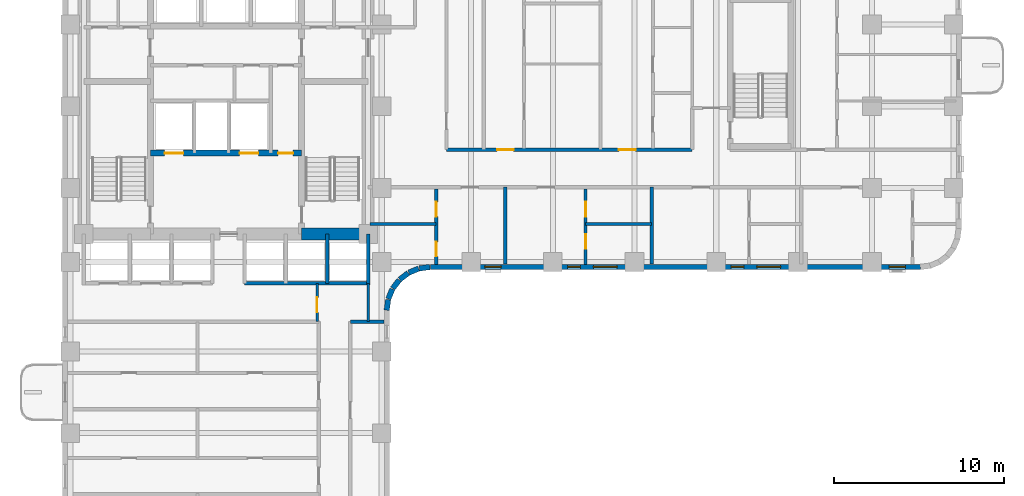
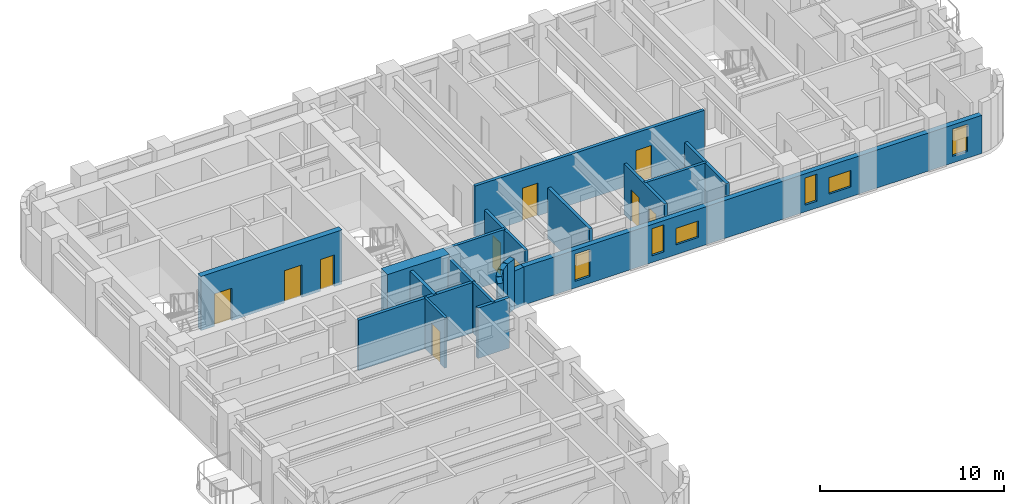
# One storey, part 4 of 11: 22 walls, 10 doors, 6 windows, 16 openings.
"""IFC4 building model written with IfcOpenShell, lengths in metres."""

import ifcopenshell
import ifcopenshell.guid

model = None  # the IFC model being written
_history = None  # IfcOwnerHistory: only IFC2X3 demands one
_inside = {}  # id of a spatial element -> (the spatial element, [elements in it])
_under = {}  # id of a project, library or spatial element -> (it, [spatial elements below it])
_declared = {}  # id of a project -> (the project, [libraries it declares])
_typed = {}  # id of a type object -> (the type object, [elements of that type])
_made_of = {}  # id of a material, layer set ... -> (it, [elements and type objects made of it])


def new_model(schema):
    """Start an empty IFC model of exactly this schema.

    Asked for "IFC4X3", IfcOpenShell would pick the latest addendum, in which some entities
    have other attributes; the version numbers below select the first issue.
    IFC2X3 requires an IfcOwnerHistory on every rooted entity: one is made here for all.
    """
    global model, _history
    if schema == "IFC4X3":
        model = ifcopenshell.file(schema_version=(4, 3, 0, 0))
    else:
        model = ifcopenshell.file(schema=schema)
    _inside.clear()
    _under.clear()
    _declared.clear()
    _typed.clear()
    _made_of.clear()
    _history = None
    if model.schema == "IFC2X3":
        org = make("IfcOrganization", Name="unknown")
        user = make(
            "IfcPersonAndOrganization",
            ThePerson=make("IfcPerson", FamilyName="unknown"),
            TheOrganization=org,
        )
        app = make(
            "IfcApplication",
            ApplicationDeveloper=org,
            Version="unknown",
            ApplicationFullName="unknown",
            ApplicationIdentifier="unknown",
        )
        _history = make(
            "IfcOwnerHistory",
            OwningUser=user,
            OwningApplication=app,
            ChangeAction="ADDED",
            CreationDate=0,
        )
    return model


def make(cls, **values):
    """One entity of the class cls with the attributes given. An attribute that is None is left unset."""
    return model.create_entity(
        cls, **{name: value for name, value in values.items() if value is not None}
    )


def rooted(cls, **values):
    """An entity with a GlobalId (a new one), such as an element, a storey or a relation."""
    return make(cls, GlobalId=ifcopenshell.guid.new(), OwnerHistory=_history, **values)


def si_unit(unit_type, name, prefix=None):
    """IfcSIUnit, for example si_unit("LENGTHUNIT", "METRE", prefix="MILLI")."""
    return make("IfcSIUnit", UnitType=unit_type, Prefix=prefix, Name=name)


def assignment(units):
    """IfcUnitAssignment: the units of a project."""
    return None if units is None else make("IfcUnitAssignment", Units=units)


def point(xyz):
    """IfcCartesianPoint."""
    return None if xyz is None else make("IfcCartesianPoint", Coordinates=xyz)


def direction(xyz):
    """IfcDirection."""
    return None if xyz is None else make("IfcDirection", DirectionRatios=xyz)


def frame(location, z_axis=None, x_axis=None):
    """IfcAxis2Placement3D, a coordinate frame: its origin and axes. An axis left out is left unset."""
    return make(
        "IfcAxis2Placement3D",
        Location=point(location),
        Axis=direction(z_axis),
        RefDirection=direction(x_axis),
    )


def frame_2d(location, x_axis=None):
    """IfcAxis2Placement2D, a coordinate frame in the plane: its origin and x axis."""
    return make(
        "IfcAxis2Placement2D", Location=point(location), RefDirection=direction(x_axis)
    )


def origin():
    """The frame at (0, 0, 0) with its axes left unset."""
    return frame((0.0, 0.0, 0.0))


def place(relative_to, where):
    """IfcLocalPlacement: puts the frame where relative to a parent placement (None: the world)."""
    return make(
        "IfcLocalPlacement", PlacementRelTo=relative_to, RelativePlacement=where
    )


def context(
    kind, dimensions, precision=None, world=None, true_north=None, identifier=None
):
    """IfcGeometricRepresentationContext, for example the 3D "Model" context."""
    return make(
        "IfcGeometricRepresentationContext",
        ContextIdentifier=identifier,
        ContextType=kind,
        CoordinateSpaceDimension=dimensions,
        Precision=precision,
        WorldCoordinateSystem=world,
        TrueNorth=true_north,
    )


def subcontext(parent, identifier, kind, view, scale=None):
    """IfcGeometricRepresentationSubContext, for example "Body" below "Model"."""
    return make(
        "IfcGeometricRepresentationSubContext",
        ContextIdentifier=identifier,
        ContextType=kind,
        ParentContext=parent,
        TargetScale=scale,
        TargetView=view,
    )


def project(units=None, contexts=None):
    """IfcProject with its units and contexts."""
    return rooted(
        "IfcProject",
        Name="project",
        RepresentationContexts=contexts,
        UnitsInContext=assignment(units),
    )


def spatial(cls, under=None, at=None, **own):
    """A site, building, storey or space (cls), placed at a placement, below another one or the project."""
    s = rooted(cls, ObjectPlacement=at, **own)
    if under is not None:
        _under.setdefault(under.id(), (under, []))[1].append(s)
    return s


def profile(cls, at=None, kind="AREA", **sizes):
    """A parametric profile (cls). Its sizes go by their IFC names, for example OverallWidth=200.0."""
    return make(cls, ProfileType=kind, Position=at, **sizes)


def rectangle(**sizes):
    """IfcRectangleProfileDef."""
    return profile("IfcRectangleProfileDef", **sizes)


def extrude(swept, where, along, depth):
    """IfcExtrudedAreaSolid: the profile swept, set in the frame where, extruded along a direction by depth."""
    return make(
        "IfcExtrudedAreaSolid",
        SweptArea=swept,
        Position=where,
        ExtrudedDirection=direction(along),
        Depth=depth,
    )


def shape(context_of_items, identifier, shape_type, items):
    """IfcShapeRepresentation: the items that make up one representation, for example the "Body"."""
    return make(
        "IfcShapeRepresentation",
        ContextOfItems=context_of_items,
        RepresentationIdentifier=identifier,
        RepresentationType=shape_type,
        Items=items,
    )


def material(Name=None, Category=None):
    """IfcMaterial."""
    return make("IfcMaterial", Name=Name, Category=Category)


def layer(
    of_material, thickness, ventilated=None, Name=None, Category=None, Priority=None
):
    """IfcMaterialLayer: one layer of a wall or slab, of a material (None: an air gap)."""
    return make(
        "IfcMaterialLayer",
        Material=of_material,
        LayerThickness=thickness,
        IsVentilated=ventilated,
        Name=Name,
        Category=Category,
        Priority=Priority,
    )


def layer_set(layers, Name=None):
    """IfcMaterialLayerSet."""
    return make("IfcMaterialLayerSet", MaterialLayers=layers, LayerSetName=Name)


def made_of(thing, what):
    """Note that an element or type object is made of a material, layer set ...; save() writes the relation."""
    if what is not None:
        _made_of.setdefault(what.id(), (what, []))[1].append(thing)
    return thing


def type_object(cls, material=None, **own):
    """A type object (cls), such as IfcWallType, which elements share."""
    return made_of(rooted(cls, **own), material)


def element(
    cls,
    number,
    at=None,
    inside=None,
    cuts=None,
    type_object=None,
    material=None,
    context=None,
    identifier="Body",
    shape_type=None,
    held_by="IfcProductDefinitionShape",
    body=None,
    shapes=None,
    **own,
):
    """One element of the class cls, such as IfcWall. Its Tag is "e" and its number.

    at: its placement. inside: the storey or other place that contains it. cuts: it is an
    opening in that element (IfcRelVoidsElement). A single representation is given by context,
    identifier, shape_type and body (its items); several are given by shapes. held_by: the class
    of the entity that holds the representations. save() writes the other relations.
    """
    e = rooted(cls, Tag="e%d" % number, ObjectPlacement=at, **own)
    if body is not None:
        shapes = [shape(context, identifier, shape_type, body)]
    if shapes is not None:
        e.Representation = make(held_by, Representations=shapes)
    if inside is not None:
        _inside.setdefault(inside.id(), (inside, []))[1].append(e)
    if cuts is not None:
        rooted(
            "IfcRelVoidsElement", RelatingBuildingElement=cuts, RelatedOpeningElement=e
        )
    if type_object is not None:
        _typed.setdefault(type_object.id(), (type_object, []))[1].append(e)
    return made_of(e, material)


def fill(opening, filler):
    """IfcRelFillsElement: the door or window that sits in an opening."""
    return rooted(
        "IfcRelFillsElement",
        RelatingOpeningElement=opening,
        RelatedBuildingElement=filler,
    )


def aggregate(whole, parts):
    """IfcRelAggregates: a whole, such as a stair, and the parts it consists of."""
    return rooted("IfcRelAggregates", RelatingObject=whole, RelatedObjects=parts)


def save(model, path):
    """Write the relations noted so far, then the file.

    IfcRelAggregates (storeys below a building ...), IfcRelContainedInSpatialStructure (elements
    in a storey), IfcRelDefinesByType, IfcRelAssociatesMaterial and IfcRelDeclares: one each for
    every whole, place, type object, material and project.
    """
    for whole, parts in _under.values():
        aggregate(whole, parts)
    for where, things in _inside.values():
        rooted(
            "IfcRelContainedInSpatialStructure",
            RelatedElements=things,
            RelatingStructure=where,
        )
    for kind, things in _typed.values():
        rooted("IfcRelDefinesByType", RelatedObjects=things, RelatingType=kind)
    for what, things in _made_of.values():
        rooted("IfcRelAssociatesMaterial", RelatedObjects=things, RelatingMaterial=what)
    for by, libraries in _declared.values():
        rooted("IfcRelDeclares", RelatingContext=by, RelatedDefinitions=libraries)
    model.write(path)


model = new_model("IFC4")

# Units and contexts
model_context = context("Model", 3, precision=1e-05, world=origin(), true_north=direction((0.0, 1.0)))
body_context = subcontext(model_context, "Body", "Model", "MODEL_VIEW")
ifc_project = project(units=[si_unit("LENGTHUNIT", "METRE"), si_unit("AREAUNIT", "SQUARE_METRE"), si_unit("VOLUMEUNIT", "CUBIC_METRE"), si_unit("PLANEANGLEUNIT", "RADIAN"), si_unit("MASSUNIT", "GRAM", prefix="KILO")], contexts=[model_context])

# Site, building, storey
site_placement = place(None, origin())
site = spatial("IfcSite", under=ifc_project, at=site_placement, CompositionType="ELEMENT")
building_placement = place(site_placement, origin())
building = spatial("IfcBuilding", under=site, at=building_placement, Name="Orvandelia Arch Residences", CompositionType="ELEMENT")
storey_placement = place(building_placement, frame((0.0, 0.0, 86.199951171875)))
storey = spatial("IfcBuildingStorey", under=building, at=storey_placement, Name="L22", CompositionType="ELEMENT", Elevation=86.199951171875)

# Wall, openings, doors
ifc_material_1 = material(Name="Concrete C50/60", Category="concrete")
ifc_layer_1 = layer(ifc_material_1, 0.35009765625, Name="Concrete C50/60", Category="concrete")
ifc_layer_set_1 = layer_set([ifc_layer_1], Name="Concrete C50/60")
wall_type_1 = type_object("IfcWallType", Name="WL-CORE-350", PredefinedType="SHEAR", material=ifc_layer_set_1)
wall_1_placement = place(storey_placement, frame((9.9599609375, 35.64990234375, 0.0), z_axis=(0.0, 0.0, 1.0), x_axis=(1.0, 0.0, 0.0)))
wall_1 = element("IfcWall", 1, at=wall_1_placement, inside=storey, type_object=wall_type_1, Name="Core Shear Wall L22-HZ3", PredefinedType="SHEAR", context=body_context, shape_type="SweptSolid", body=[
    extrude(rectangle(XDim=8.880126953125, YDim=0.35009765625, at=frame_2d((4.43994140625, 0.0))), origin(), (0.0, 0.0, 1.0), 3.60009765625),
])
opening_1_placement = place(wall_1_placement, frame((0.840087890625, 0.0, 0.0)))
opening_1 = element("IfcOpeningElement", 2, at=opening_1_placement, cuts=wall_1, Name="Opening FLD", PredefinedType="OPENING", context=body_context, shape_type="SweptSolid", body=[
    extrude(rectangle(XDim=1.10009765625, YDim=2.14990234375, at=frame_2d((0.550048828125, 1.074951171875))), frame((0.0, 0.18505859375, 0.0), z_axis=(0.0, -1.0, 0.0), x_axis=(1.0, 0.0, 0.0)), (0.0, 0.0, 1.0), 0.3701171875),
])
opening_2_placement = place(wall_1_placement, frame((5.239990234375, 0.0, 0.0)))
opening_2 = element("IfcOpeningElement", 3, at=opening_2_placement, cuts=wall_1, Name="Opening FLD", PredefinedType="OPENING", context=body_context, shape_type="SweptSolid", body=[
    extrude(rectangle(XDim=1.10009765625, YDim=2.14990234375, at=frame_2d((0.550048828125, 1.074951171875))), frame((0.0, 0.18505859375, 0.0), z_axis=(0.0, -1.0, 0.0), x_axis=(1.0, 0.0, 0.0)), (0.0, 0.0, 1.0), 0.3701171875),
])
opening_3_placement = place(wall_1_placement, frame((7.5, 0.0, 0.0)))
opening_3 = element("IfcOpeningElement", 4, at=opening_3_placement, cuts=wall_1, Name="Opening D5", PredefinedType="OPENING", context=body_context, shape_type="SweptSolid", body=[
    extrude(rectangle(XDim=0.8798828125, YDim=2.10009765625, at=frame_2d((0.43994140625, 1.050048828125))), frame((0.0, 0.18505859375, 0.0), z_axis=(0.0, -1.0, 0.0), x_axis=(1.0, 0.0, 0.0)), (0.0, 0.0, 1.0), 0.3701171875),
])
ifc_material_2 = material(Name="Firefighting Lift Stainless Sliding Door")
door_type_1 = type_object("IfcDoorType", Name="DR-FLFT-1100", OperationType="NOTDEFINED", PredefinedType="DOOR", material=ifc_material_2)
door_1_placement = place(opening_1_placement, origin())
door_1 = element("IfcDoor", 5, at=door_1_placement, inside=storey, type_object=door_type_1, Name="Firefighting Lift Landing Door FLD-FL1-L22", OperationType="SLIDING_TO_LEFT", OverallHeight=2.14990234375, OverallWidth=1.10009765625, PredefinedType="DOOR", context=body_context, shape_type="SweptSolid", body=[
    extrude(rectangle(XDim=1.10009765625, YDim=2.14990234375, at=frame_2d((0.550048828125, 1.074951171875))), frame((0.0, 0.02490234375, 0.0), z_axis=(0.0, -1.0, 0.0), x_axis=(1.0, 0.0, 0.0)), (0.0, 0.0, 1.0), 0.050048828125),
])
fill(opening_1, door_1)
door_2_placement = place(opening_2_placement, origin())
door_2 = element("IfcDoor", 6, at=door_2_placement, inside=storey, type_object=door_type_1, Name="Firefighting Lift Landing Door FLD-FL2-L22", OperationType="SLIDING_TO_RIGHT", OverallHeight=2.14990234375, OverallWidth=1.10009765625, PredefinedType="DOOR", context=body_context, shape_type="SweptSolid", body=[
    extrude(rectangle(XDim=1.10009765625, YDim=2.14990234375, at=frame_2d((0.550048828125, 1.074951171875))), frame((0.0, 0.02490234375, 0.0), z_axis=(0.0, -1.0, 0.0), x_axis=(1.0, 0.0, 0.0)), (0.0, 0.0, 1.0), 0.050048828125),
])
fill(opening_2, door_2)
ifc_material_3 = material(Name="Painted Galvanised Steel Service Door", Category="steel")
door_type_2 = type_object("IfcDoorType", Name="DR-SRV-880", OperationType="NOTDEFINED", PredefinedType="DOOR", material=ifc_material_3)
door_3_placement = place(opening_3_placement, origin())
door_3 = element("IfcDoor", 7, at=door_3_placement, inside=storey, type_object=door_type_2, Name="Core Stairway Passage South Fire Door L22", OperationType="SINGLE_SWING_LEFT", OverallHeight=2.10009765625, OverallWidth=0.8798828125, PredefinedType="DOOR", context=body_context, shape_type="SweptSolid", body=[
    extrude(rectangle(XDim=0.8798828125, YDim=2.10009765625, at=frame_2d((0.43994140625, 1.050048828125))), frame((0.0, 0.02490234375, 0.0), z_axis=(0.0, -1.0, 0.0), x_axis=(1.0, 0.0, 0.0)), (0.0, 0.0, 1.0), 0.050048828125),
])
fill(opening_3, door_3)

# Walls
ifc_material_4 = material(Name="Concrete C80/95", Category="concrete")
ifc_layer_2 = layer(ifc_material_4, 0.699951171875, Name="Concrete C80/95", Category="concrete")
ifc_layer_set_2 = layer_set([ifc_layer_2], Name="Concrete C80/95")
wall_type_2 = type_object("IfcWallType", Name="WL-CORE-700", PredefinedType="SHEAR", material=ifc_layer_set_2)
wall_2_placement = place(storey_placement, frame((18.840087890625, 30.89990234375, 0.0), z_axis=(0.0, 0.0, 1.0), x_axis=(1.0, 0.0, 0.0)))
element("IfcWall", 8, at=wall_2_placement, inside=storey, type_object=wall_type_2, Name="Core Shear Wall L22-SE", PredefinedType="SHEAR", context=body_context, shape_type="SweptSolid", body=[
    extrude(rectangle(XDim=3.909912109375, YDim=0.699951171875, at=frame_2d((1.955078125, 0.0))), origin(), (0.0, 0.0, 1.0), 3.60009765625),
])
ifc_material_5 = material(Name="Fire-Rated Corridor Partition")
ifc_layer_3 = layer(ifc_material_5, 0.199951171875, Name="Fire-Rated Corridor Partition")
ifc_layer_set_3 = layer_set([ifc_layer_3], Name="Fire-Rated Corridor Partition")
wall_type_3 = type_object("IfcWallType", Name="WL-CORR-200", PredefinedType="PARTITIONING", material=ifc_layer_set_3)
wall_3_placement = place(storey_placement, frame((21.699951171875, 25.75, 0.0), z_axis=(0.0, 0.0, 1.0), x_axis=(1.0, 0.0, 0.0)))
element("IfcWall", 9, at=wall_3_placement, inside=storey, type_object=wall_type_3, Name="Interior Partition Wall WL-L22-WCLS-E", PredefinedType="PARTITIONING", context=body_context, shape_type="SweptSolid", body=[
    extrude(rectangle(XDim=1.97998046875, YDim=0.199951171875, at=frame_2d((0.989990234375, 0.0))), origin(), (0.0, 0.0, 1.0), 3.35009765625),
])

# Wall, openings, doors
wall_4_placement = place(storey_placement, frame((27.35009765625, 35.85009765625, 0.0), z_axis=(0.0, 0.0, 1.0), x_axis=(1.0, 0.0, 0.0)))
wall_4 = element("IfcWall", 10, at=wall_4_placement, inside=storey, type_object=wall_type_3, Name="Interior Partition Wall WL-L22-ES-N1", PredefinedType="PARTITIONING", context=body_context, shape_type="SweptSolid", body=[
    extrude(rectangle(XDim=14.429931640625, YDim=0.199951171875, at=frame_2d((7.21484375, 0.0))), origin(), (0.0, 0.0, 1.0), 3.35009765625),
])
opening_4_placement = place(wall_4_placement, frame((2.969970703125, 0.0, 0.0)))
opening_4 = element("IfcOpeningElement", 11, at=opening_4_placement, cuts=wall_4, Name="Opening D1", PredefinedType="OPENING", context=body_context, shape_type="SweptSolid", body=[
    extrude(rectangle(XDim=0.97998046875, YDim=2.179931640625, at=frame_2d((0.489990234375, 1.08984375))), frame((0.0, 0.10986328125, 0.0), z_axis=(0.0, -1.0, 0.0), x_axis=(1.0, 0.0, 0.0)), (0.0, 0.0, 1.0), 0.219970703125),
])
opening_5_placement = place(wall_4_placement, frame((10.125, 0.0, 0.0)))
opening_5 = element("IfcOpeningElement", 12, at=opening_5_placement, cuts=wall_4, Name="Opening D1", PredefinedType="OPENING", context=body_context, shape_type="SweptSolid", body=[
    extrude(rectangle(XDim=0.97998046875, YDim=2.179931640625, at=frame_2d((0.489990234375, 1.08984375))), frame((0.0, 0.10986328125, 0.0), z_axis=(0.0, -1.0, 0.0), x_axis=(1.0, 0.0, 0.0)), (0.0, 0.0, 1.0), 0.219970703125),
])
ifc_material_6 = material(Name="Solid-Core Timber Acoustic Fire Door", Category="wood")
door_type_3 = type_object("IfcDoorType", Name="DR-ENT-980", OperationType="NOTDEFINED", PredefinedType="DOOR", material=ifc_material_6)
door_4_placement = place(opening_4_placement, origin())
door_4 = element("IfcDoor", 13, at=door_4_placement, inside=storey, type_object=door_type_3, Name="Unit L22-09 Entrance Door", OperationType="SINGLE_SWING_LEFT", OverallHeight=2.179931640625, OverallWidth=0.97998046875, PredefinedType="DOOR", context=body_context, shape_type="SweptSolid", body=[
    extrude(rectangle(XDim=0.97998046875, YDim=2.179931640625, at=frame_2d((0.489990234375, 1.08984375))), frame((0.0, 0.02490234375, 0.0), z_axis=(0.0, -1.0, 0.0), x_axis=(1.0, 0.0, 0.0)), (0.0, 0.0, 1.0), 0.050048828125),
])
fill(opening_4, door_4)
door_5_placement = place(opening_5_placement, origin())
door_5 = element("IfcDoor", 14, at=door_5_placement, inside=storey, type_object=door_type_3, Name="Unit L22-10 Entrance Door", OperationType="SINGLE_SWING_RIGHT", OverallHeight=2.179931640625, OverallWidth=0.97998046875, PredefinedType="DOOR", context=body_context, shape_type="SweptSolid", body=[
    extrude(rectangle(XDim=0.97998046875, YDim=2.179931640625, at=frame_2d((0.489990234375, 1.08984375))), frame((0.0, 0.02490234375, 0.0), z_axis=(0.0, -1.0, 0.0), x_axis=(1.0, 0.0, 0.0)), (0.0, 0.0, 1.0), 0.050048828125),
])
fill(opening_5, door_5)

# Walls
ifc_material_7 = material(Name="Concrete C40/50", Category="concrete")
ifc_layer_4 = layer(ifc_material_7, 0.199951171875, Name="Concrete C40/50", Category="concrete")
ifc_layer_set_4 = layer_set([ifc_layer_4], Name="Concrete C40/50")
wall_type_4 = type_object("IfcWallType", Name="WL-DEM-200", PredefinedType="SOLIDWALL", material=ifc_layer_set_4)
for number, where, z_axis, x_axis, name in (
    (15, (30.800048828125, 29.1201171875, 0.0), (0.0, 0.0, 1.0), (0.0, 1.0, 0.0), "Interior Partition Wall WL-L22-DEM-ESS-308"),
    (16, (39.39990234375, 29.1201171875, 0.0), (0.0, 0.0, 1.0), (0.0, 1.0, 0.0), "Interior Partition Wall WL-L22-DEM-ESS-394"),
):
    element("IfcWall", number, at=place(storey_placement, frame(where, z_axis=z_axis, x_axis=x_axis)), inside=storey, type_object=wall_type_4, Name=name, PredefinedType="SOLIDWALL", context=body_context, shape_type="SweptSolid", body=[
        extrude(rectangle(XDim=4.52978515625, YDim=0.199951171875, at=frame_2d((2.264892578125, 0.0))), origin(), (0.0, 0.0, 1.0), 3.35009765625),
    ])

# Wall, openings, windows
ifc_material_8 = material(Name="Precast concrete C40/50", Category="concrete")
ifc_layer_5 = layer(ifc_material_8, 0.320068359375, Name="Precast concrete C40/50", Category="concrete")
ifc_layer_set_5 = layer_set([ifc_layer_5], Name="Precast concrete C40/50")
wall_type_5 = type_object("IfcWallType", Name="WL-EXT-STONE-320", PredefinedType="STANDARD", material=ifc_layer_set_5)
wall_5_placement = place(storey_placement, frame((55.199951171875, 28.9599609375, 0.0), z_axis=(0.0, 0.0, 1.0), x_axis=(-1.0, 0.0, 0.0)))
wall_5 = element("IfcWall", 17, at=wall_5_placement, inside=storey, type_object=wall_type_5, Name="Coral-Limestone Precast Facade Wall L22-021", PredefinedType="STANDARD", context=body_context, shape_type="SweptSolid", body=[
    extrude(rectangle(XDim=28.800048828125, YDim=0.320068359375, at=frame_2d((14.39990234375, 0.0))), origin(), (0.0, 0.0, 1.0), 2.530029296875),
])
opening_6_placement = place(wall_5_placement, frame((24.639892578125, 0.0, 0.449951171875)))
opening_6 = element("IfcOpeningElement", 18, at=opening_6_placement, cuts=wall_5, Name="Opening W4", PredefinedType="OPENING", context=body_context, shape_type="SweptSolid", body=[
    extrude(rectangle(XDim=0.949951171875, YDim=1.800048828125, at=frame_2d((0.47509765625, 0.89990234375))), frame((0.0, 0.169921875, 0.0), z_axis=(0.0, -1.0, 0.0), x_axis=(1.0, 0.0, 0.0)), (0.0, 0.0, 1.0), 0.340087890625),
])
opening_7_placement = place(wall_5_placement, frame((19.97900390625, 0.0, 0.449951171875)))
opening_7 = element("IfcOpeningElement", 19, at=opening_7_placement, cuts=wall_5, Name="Opening W11", PredefinedType="OPENING", context=body_context, shape_type="SweptSolid", body=[
    extrude(rectangle(XDim=0.75, YDim=1.800048828125, at=frame_2d((0.375, 0.89990234375))), frame((0.0, 0.169921875, 0.0), z_axis=(0.0, -1.0, 0.0), x_axis=(1.0, 0.0, 0.0)), (0.0, 0.0, 1.0), 0.340087890625),
])
opening_8_placement = place(wall_5_placement, frame((10.3740234375, 0.0, 0.449951171875)))
opening_8 = element("IfcOpeningElement", 20, at=opening_8_placement, cuts=wall_5, Name="Opening W11", PredefinedType="OPENING", context=body_context, shape_type="SweptSolid", body=[
    extrude(rectangle(XDim=0.75, YDim=1.800048828125, at=frame_2d((0.375, 0.89990234375))), frame((0.0, 0.169921875, 0.0), z_axis=(0.0, -1.0, 0.0), x_axis=(1.0, 0.0, 0.0)), (0.0, 0.0, 1.0), 0.340087890625),
])
opening_9_placement = place(wall_5_placement, frame((0.89990234375, 0.0, 0.449951171875)))
opening_9 = element("IfcOpeningElement", 21, at=opening_9_placement, cuts=wall_5, Name="Opening W4", PredefinedType="OPENING", context=body_context, shape_type="SweptSolid", body=[
    extrude(rectangle(XDim=0.949951171875, YDim=1.800048828125, at=frame_2d((0.47509765625, 0.89990234375))), frame((0.0, 0.169921875, 0.0), z_axis=(0.0, -1.0, 0.0), x_axis=(1.0, 0.0, 0.0)), (0.0, 0.0, 1.0), 0.340087890625),
])
opening_10_placement = place(wall_5_placement, frame((17.823974609375, 0.0, 0.64990234375)))
opening_10 = element("IfcOpeningElement", 22, at=opening_10_placement, cuts=wall_5, Name="Opening W10", PredefinedType="OPENING", context=body_context, shape_type="SweptSolid", body=[
    extrude(rectangle(XDim=1.39990234375, YDim=1.10009765625, at=frame_2d((0.699951171875, 0.550048828125))), frame((0.0, 0.169921875, 0.0), z_axis=(0.0, -1.0, 0.0), x_axis=(1.0, 0.0, 0.0)), (0.0, 0.0, 1.0), 0.340087890625),
])
opening_11_placement = place(wall_5_placement, frame((8.218994140625, 0.0, 0.64990234375)))
opening_11 = element("IfcOpeningElement", 23, at=opening_11_placement, cuts=wall_5, Name="Opening W10", PredefinedType="OPENING", context=body_context, shape_type="SweptSolid", body=[
    extrude(rectangle(XDim=1.39990234375, YDim=1.10009765625, at=frame_2d((0.699951171875, 0.550048828125))), frame((0.0, 0.169921875, 0.0), z_axis=(0.0, -1.0, 0.0), x_axis=(1.0, 0.0, 0.0)), (0.0, 0.0, 1.0), 0.340087890625),
])
ifc_material_9 = material(Name="Tempered Low-E Insulated Glazing", Category="glass")
window_type_1 = type_object("IfcWindowType", Name="WIN-BED-0750x1800", PartitioningType="SINGLE_PANEL", PredefinedType="WINDOW", material=ifc_material_9)
window_1_placement = place(opening_7_placement, origin())
window_1 = element("IfcWindow", 24, at=window_1_placement, inside=storey, type_object=window_type_1, Name="Recessed Punched Window L22-016", OverallHeight=1.800048828125, OverallWidth=0.75, PartitioningType="SINGLE_PANEL", PredefinedType="WINDOW", context=body_context, shape_type="SweptSolid", body=[
    extrude(rectangle(XDim=0.75, YDim=1.800048828125, at=frame_2d((0.375, 0.89990234375))), frame((0.0, 0.030029296875, 0.0), z_axis=(0.0, -1.0, 0.0), x_axis=(1.0, 0.0, 0.0)), (0.0, 0.0, 1.0), 0.06005859375),
])
fill(opening_7, window_1)
window_2_placement = place(opening_8_placement, origin())
window_2 = element("IfcWindow", 25, at=window_2_placement, inside=storey, type_object=window_type_1, Name="Recessed Punched Window L22-017", OverallHeight=1.800048828125, OverallWidth=0.75, PartitioningType="SINGLE_PANEL", PredefinedType="WINDOW", context=body_context, shape_type="SweptSolid", body=[
    extrude(rectangle(XDim=0.75, YDim=1.800048828125, at=frame_2d((0.375, 0.89990234375))), frame((0.0, 0.030029296875, 0.0), z_axis=(0.0, -1.0, 0.0), x_axis=(1.0, 0.0, 0.0)), (0.0, 0.0, 1.0), 0.06005859375),
])
fill(opening_8, window_2)
window_type_2 = type_object("IfcWindowType", Name="WIN-CLR-1400x1100", PartitioningType="SINGLE_PANEL", PredefinedType="WINDOW", material=ifc_material_9)
window_3_placement = place(opening_10_placement, origin())
window_3 = element("IfcWindow", 26, at=window_3_placement, inside=storey, type_object=window_type_2, Name="Recessed Punched Window L22-019", OverallHeight=1.10009765625, OverallWidth=1.39990234375, PartitioningType="SINGLE_PANEL", PredefinedType="WINDOW", context=body_context, shape_type="SweptSolid", body=[
    extrude(rectangle(XDim=1.39990234375, YDim=1.10009765625, at=frame_2d((0.699951171875, 0.550048828125))), frame((0.0, 0.030029296875, 0.0), z_axis=(0.0, -1.0, 0.0), x_axis=(1.0, 0.0, 0.0)), (0.0, 0.0, 1.0), 0.06005859375),
])
fill(opening_10, window_3)
window_4_placement = place(opening_11_placement, origin())
window_4 = element("IfcWindow", 27, at=window_4_placement, inside=storey, type_object=window_type_2, Name="Recessed Punched Window L22-020", OverallHeight=1.10009765625, OverallWidth=1.39990234375, PartitioningType="SINGLE_PANEL", PredefinedType="WINDOW", context=body_context, shape_type="SweptSolid", body=[
    extrude(rectangle(XDim=1.39990234375, YDim=1.10009765625, at=frame_2d((0.699951171875, 0.550048828125))), frame((0.0, 0.030029296875, 0.0), z_axis=(0.0, -1.0, 0.0), x_axis=(1.0, 0.0, 0.0)), (0.0, 0.0, 1.0), 0.06005859375),
])
fill(opening_11, window_4)
window_type_3 = type_object("IfcWindowType", Name="WIN-RES-0950x1800", PartitioningType="SINGLE_PANEL", PredefinedType="WINDOW", material=ifc_material_9)
window_5_placement = place(opening_6_placement, origin())
window_5 = element("IfcWindow", 28, at=window_5_placement, inside=storey, type_object=window_type_3, Name="Recessed Punched Window L22-015", OverallHeight=1.800048828125, OverallWidth=0.949951171875, PartitioningType="SINGLE_PANEL", PredefinedType="WINDOW", context=body_context, shape_type="SweptSolid", body=[
    extrude(rectangle(XDim=0.949951171875, YDim=1.800048828125, at=frame_2d((0.47509765625, 0.89990234375))), frame((0.0, 0.030029296875, 0.0), z_axis=(0.0, -1.0, 0.0), x_axis=(1.0, 0.0, 0.0)), (0.0, 0.0, 1.0), 0.06005859375),
])
fill(opening_6, window_5)
window_6_placement = place(opening_9_placement, origin())
window_6 = element("IfcWindow", 29, at=window_6_placement, inside=storey, type_object=window_type_3, Name="Recessed Punched Window L22-018", OverallHeight=1.800048828125, OverallWidth=0.949951171875, PartitioningType="SINGLE_PANEL", PredefinedType="WINDOW", context=body_context, shape_type="SweptSolid", body=[
    extrude(rectangle(XDim=0.949951171875, YDim=1.800048828125, at=frame_2d((0.47509765625, 0.89990234375))), frame((0.0, 0.030029296875, 0.0), z_axis=(0.0, -1.0, 0.0), x_axis=(1.0, 0.0, 0.0)), (0.0, 0.0, 1.0), 0.06005859375),
])
fill(opening_9, window_6)

# Walls
wall_6_placement = place(storey_placement, frame((26.379150390625, 28.95849609375, 0.0), z_axis=(0.0, 0.0, 1.0), x_axis=(-0.991447664465, -0.130504898859, 0.0)))
element("IfcWall", 30, at=wall_6_placement, inside=storey, type_object=wall_type_5, Name="Coral-Limestone Precast Facade Wall L22-022", PredefinedType="STANDARD", context=body_context, shape_type="SweptSolid", body=[
    extrude(rectangle(XDim=0.626708984375, YDim=0.320068359375, at=frame_2d((0.3134765625, 0.0))), origin(), (0.0, 0.0, 1.0), 2.530029296875),
])
wall_7_placement = place(storey_placement, frame((25.717529296875, 28.865966796875, 0.0), z_axis=(0.0, 0.0, 1.0), x_axis=(-0.923836271867, -0.382787856107, 0.0)))
element("IfcWall", 31, at=wall_7_placement, inside=storey, type_object=wall_type_5, Name="Coral-Limestone Precast Facade Wall L22-023", PredefinedType="STANDARD", context=body_context, shape_type="SweptSolid", body=[
    extrude(rectangle(XDim=0.626220703125, YDim=0.320068359375, at=frame_2d((0.31298828125, 0.0))), origin(), (0.0, 0.0, 1.0), 3.35009765625),
])
for number, where, z_axis, x_axis, name in (
    (32, (25.1025390625, 28.60546875, 0.0), (0.0, 0.0, 1.0), (-0.793405610854, -0.608693302629, 0.0), "Coral-Limestone Precast Facade Wall L22-024"),
    (33, (24.575927734375, 28.194580078125, 0.0), (0.0, 0.0, 1.0), (-0.608693302629, -0.793405610854, 0.0), "Coral-Limestone Precast Facade Wall L22-025"),
):
    element("IfcWall", number, at=place(storey_placement, frame(where, z_axis=z_axis, x_axis=x_axis)), inside=storey, type_object=wall_type_5, Name=name, PredefinedType="STANDARD", context=body_context, shape_type="SweptSolid", body=[
        extrude(rectangle(XDim=0.62646484375, YDim=0.320068359375, at=frame_2d((0.313232421875, 0.0))), origin(), (0.0, 0.0, 1.0), 3.35009765625),
    ])
wall_8_placement = place(storey_placement, frame((24.173583984375, 27.6611328125, 0.0), z_axis=(0.0, 0.0, 1.0), x_axis=(-0.382455093999, -0.923974080304, 0.0)))
element("IfcWall", 34, at=wall_8_placement, inside=storey, type_object=wall_type_5, Name="Coral-Limestone Precast Facade Wall L22-026", PredefinedType="STANDARD", context=body_context, shape_type="SweptSolid", body=[
    extrude(rectangle(XDim=0.626220703125, YDim=0.320068359375, at=frame_2d((0.31298828125, 0.0))), origin(), (0.0, 0.0, 1.0), 3.35009765625),
])
wall_9_placement = place(storey_placement, frame((23.923095703125, 27.0419921875, 0.0), z_axis=(0.0, 0.0, 1.0), x_axis=(-0.130555323746, -0.9914410257, 0.0)))
element("IfcWall", 35, at=wall_9_placement, inside=storey, type_object=wall_type_5, Name="Coral-Limestone Precast Facade Wall L22-027", PredefinedType="STANDARD", context=body_context, shape_type="SweptSolid", body=[
    extrude(rectangle(XDim=0.62646484375, YDim=0.320068359375, at=frame_2d((0.313232421875, 0.0))), origin(), (0.0, 0.0, 1.0), 2.530029296875),
])

# Wall, opening, door
ifc_material_10 = material(Name="Acoustic Gypsum Stud Partition")
ifc_layer_6 = layer(ifc_material_10, 0.14990234375, Name="Acoustic Gypsum Stud Partition")
ifc_layer_set_6 = layer_set([ifc_layer_6], Name="Acoustic Gypsum Stud Partition")
wall_type_6 = type_object("IfcWallType", Name="WL-PART-150", PredefinedType="PARTITIONING", material=ifc_layer_set_6)
wall_10_placement = place(storey_placement, frame((19.75, 25.75, 0.0), z_axis=(0.0, 0.0, 1.0), x_axis=(0.0, 1.0, 0.0)))
wall_10 = element("IfcWall", 36, at=wall_10_placement, inside=storey, type_object=wall_type_6, Name="Interior Partition Wall WL-L22-HLS-EW3", PredefinedType="PARTITIONING", context=body_context, shape_type="SweptSolid", body=[
    extrude(rectangle(XDim=2.25, YDim=0.14990234375, at=frame_2d((1.125, 0.0))), origin(), (0.0, 0.0, 1.0), 3.35009765625),
])
opening_12_placement = place(wall_10_placement, frame((0.550048828125, 0.0, 0.0)))
opening_12 = element("IfcOpeningElement", 37, at=opening_12_placement, cuts=wall_10, Name="Opening D5", PredefinedType="OPENING", context=body_context, shape_type="SweptSolid", body=[
    extrude(rectangle(XDim=0.8798828125, YDim=2.10009765625, at=frame_2d((0.43994140625, 1.050048828125))), frame((0.0, 0.0849609375, 0.0), z_axis=(0.0, -1.0, 0.0), x_axis=(1.0, 0.0, 0.0)), (0.0, 0.0, 1.0), 0.169921875),
])
door_6_placement = place(opening_12_placement, origin())
door_6 = element("IfcDoor", 38, at=door_6_placement, inside=storey, type_object=door_type_2, Name="DR-L22-CSZ1A", OperationType="SINGLE_SWING_RIGHT", OverallHeight=2.10009765625, OverallWidth=0.8798828125, PredefinedType="DOOR", context=body_context, shape_type="SweptSolid", body=[
    extrude(rectangle(XDim=0.8798828125, YDim=2.10009765625, at=frame_2d((0.43994140625, 1.050048828125))), frame((0.0, 0.02490234375, 0.0), z_axis=(0.0, -1.0, 0.0), x_axis=(1.0, 0.0, 0.0)), (0.0, 0.0, 1.0), 0.050048828125),
])
fill(opening_12, door_6)

# Walls
wall_11_placement = place(storey_placement, frame((22.75, 25.75, 0.0), z_axis=(0.0, 0.0, 1.0), x_axis=(0.0, 1.0, 0.0)))
element("IfcWall", 39, at=wall_11_placement, inside=storey, type_object=wall_type_6, Name="Interior Partition Wall WL-L22-HLS-EE", PredefinedType="PARTITIONING", context=body_context, shape_type="SweptSolid", body=[
    extrude(rectangle(XDim=2.25, YDim=0.14990234375, at=frame_2d((1.125, 0.0))), origin(), (0.0, 0.0, 1.0), 3.35009765625),
])
ifc_material_11 = material(Name="Fire-Rated Shaft Enclosure Wall")
ifc_layer_7 = layer(ifc_material_11, 0.199951171875, Name="Fire-Rated Shaft Enclosure Wall")
ifc_layer_set_7 = layer_set([ifc_layer_7], Name="Fire-Rated Shaft Enclosure Wall")
wall_type_7 = type_object("IfcWallType", Name="WL-SHAFT-200", PredefinedType="POLYGONAL", material=ifc_layer_set_7)
wall_12_placement = place(storey_placement, frame((15.5, 28.0, 0.0), z_axis=(0.0, 0.0, 1.0), x_axis=(1.0, 0.0, 0.0)))
element("IfcWall", 40, at=wall_12_placement, inside=storey, type_object=wall_type_7, Name="Interior Partition Wall WL-L22-BNKM-S", PredefinedType="POLYGONAL", context=body_context, shape_type="SweptSolid", body=[
    extrude(rectangle(XDim=7.25, YDim=0.199951171875, at=frame_2d((3.625, 0.0))), origin(), (0.0, 0.0, 1.0), 3.35009765625),
])
wall_13_placement = place(storey_placement, frame((22.75, 27.89990234375, 0.0), z_axis=(0.0, 0.0, 1.0), x_axis=(0.0, 1.0, 0.0)))
element("IfcWall", 41, at=wall_13_placement, inside=storey, type_object=wall_type_7, Name="Interior Partition Wall WL-L22-BNKM-E", PredefinedType="POLYGONAL", context=body_context, shape_type="SweptSolid", body=[
    extrude(rectangle(XDim=3.0, YDim=0.199951171875, at=frame_2d((1.5, 0.0))), origin(), (0.0, 0.0, 1.0), 3.35009765625),
])
wall_14_placement = place(storey_placement, frame((20.35009765625, 28.0, 0.0), z_axis=(0.0, 0.0, 1.0), x_axis=(0.0, 1.0, 0.0)))
element("IfcWall", 42, at=wall_14_placement, inside=storey, type_object=wall_type_7, Name="Interior Partition Wall WL-L22-BNKD-2035", PredefinedType="POLYGONAL", context=body_context, shape_type="SweptSolid", body=[
    extrude(rectangle(XDim=2.89990234375, YDim=0.199951171875, at=frame_2d((1.449951171875, 0.0))), origin(), (0.0, 0.0, 1.0), 3.35009765625),
])

# Wall, openings, doors
ifc_material_12 = material(Name="Moisture-Resistant Plumbing Wall")
ifc_layer_8 = layer(ifc_material_12, 0.179931640625, Name="Moisture-Resistant Plumbing Wall")
ifc_layer_set_8 = layer_set([ifc_layer_8], Name="Moisture-Resistant Plumbing Wall")
wall_type_8 = type_object("IfcWallType", Name="WL-WET-180", PredefinedType="PLUMBINGWALL", material=ifc_layer_set_8)
wall_15_placement = place(storey_placement, frame((26.75, 29.1201171875, 0.0), z_axis=(0.0, 0.0, 1.0), x_axis=(0.0, 1.0, 0.0)))
wall_15 = element("IfcWall", 43, at=wall_15_placement, inside=storey, type_object=wall_type_8, Name="Interior Partition Wall WL-L22-U05-VT", PredefinedType="PLUMBINGWALL", context=body_context, shape_type="SweptSolid", body=[
    extrude(rectangle(XDim=4.429931640625, YDim=0.179931640625, at=frame_2d((2.21484375, 0.0))), origin(), (0.0, 0.0, 1.0), 3.35009765625),
])
opening_13_placement = place(wall_15_placement, frame((0.458740234375, 0.0, 0.0)))
opening_13 = element("IfcOpeningElement", 44, at=opening_13_placement, cuts=wall_15, Name="Opening D4", PredefinedType="OPENING", context=body_context, shape_type="SweptSolid", body=[
    extrude(rectangle(XDim=0.860107421875, YDim=2.10009765625, at=frame_2d((0.43017578125, 1.050048828125))), frame((0.0, 0.10009765625, 0.0), z_axis=(0.0, -1.0, 0.0), x_axis=(1.0, 0.0, 0.0)), (0.0, 0.0, 1.0), 0.199951171875),
])
opening_14_placement = place(wall_15_placement, frame((2.79931640625, 0.0, 0.0)))
opening_14 = element("IfcOpeningElement", 45, at=opening_14_placement, cuts=wall_15, Name="Opening D4", PredefinedType="OPENING", context=body_context, shape_type="SweptSolid", body=[
    extrude(rectangle(XDim=0.860107421875, YDim=2.10009765625, at=frame_2d((0.43017578125, 1.050048828125))), frame((0.0, 0.10009765625, 0.0), z_axis=(0.0, -1.0, 0.0), x_axis=(1.0, 0.0, 0.0)), (0.0, 0.0, 1.0), 0.199951171875),
])
ifc_material_13 = material(Name="Moisture-Sealed Timber Bathroom Door", Category="wood")
door_type_4 = type_object("IfcDoorType", Name="DR-WET-900", OperationType="NOTDEFINED", PredefinedType="DOOR", material=ifc_material_13)
door_7_placement = place(opening_13_placement, origin())
door_7 = element("IfcDoor", 46, at=door_7_placement, inside=storey, type_object=door_type_4, Name="DR-L22-U05-KIT", OperationType="SINGLE_SWING_LEFT", OverallHeight=2.10009765625, OverallWidth=0.860107421875, PredefinedType="DOOR", context=body_context, shape_type="SweptSolid", body=[
    extrude(rectangle(XDim=0.860107421875, YDim=2.10009765625, at=frame_2d((0.43017578125, 1.050048828125))), frame((0.0, 0.02490234375, 0.0), z_axis=(0.0, -1.0, 0.0), x_axis=(1.0, 0.0, 0.0)), (0.0, 0.0, 1.0), 0.050048828125),
])
fill(opening_13, door_7)
door_8_placement = place(opening_14_placement, origin())
door_8 = element("IfcDoor", 47, at=door_8_placement, inside=storey, type_object=door_type_4, Name="DR-L22-U05-BTH", OperationType="SINGLE_SWING_RIGHT", OverallHeight=2.10009765625, OverallWidth=0.860107421875, PredefinedType="DOOR", context=body_context, shape_type="SweptSolid", body=[
    extrude(rectangle(XDim=0.860107421875, YDim=2.10009765625, at=frame_2d((0.43017578125, 1.050048828125))), frame((0.0, 0.02490234375, 0.0), z_axis=(0.0, -1.0, 0.0), x_axis=(1.0, 0.0, 0.0)), (0.0, 0.0, 1.0), 0.050048828125),
])
fill(opening_14, door_8)

# Wall
wall_16_placement = place(storey_placement, frame((22.85009765625, 31.485107421875, 0.0), z_axis=(0.0, 0.0, 1.0), x_axis=(1.0, 0.0, 0.0)))
element("IfcWall", 48, at=wall_16_placement, inside=storey, type_object=wall_type_8, Name="Interior Partition Wall WL-L22-U05-H1", PredefinedType="PLUMBINGWALL", context=body_context, shape_type="SweptSolid", body=[
    extrude(rectangle(XDim=3.89990234375, YDim=0.179931640625, at=frame_2d((1.949951171875, 0.0))), origin(), (0.0, 0.0, 1.0), 3.35009765625),
])

# Wall, openings, doors
wall_17_placement = place(storey_placement, frame((35.52197265625, 29.1201171875, 0.0), z_axis=(0.0, 0.0, 1.0), x_axis=(0.0, 1.0, 0.0)))
wall_17 = element("IfcWall", 49, at=wall_17_placement, inside=storey, type_object=wall_type_8, Name="Interior Partition Wall WL-L22-U06-VT", PredefinedType="PLUMBINGWALL", context=body_context, shape_type="SweptSolid", body=[
    extrude(rectangle(XDim=4.429931640625, YDim=0.179931640625, at=frame_2d((2.21484375, 0.0))), origin(), (0.0, 0.0, 1.0), 3.35009765625),
])
opening_15_placement = place(wall_17_placement, frame((0.90869140625, 0.0, 0.0)))
opening_15 = element("IfcOpeningElement", 50, at=opening_15_placement, cuts=wall_17, Name="Opening D4", PredefinedType="OPENING", context=body_context, shape_type="SweptSolid", body=[
    extrude(rectangle(XDim=0.860107421875, YDim=2.10009765625, at=frame_2d((0.43017578125, 1.050048828125))), frame((0.0, 0.10009765625, 0.0), z_axis=(0.0, -1.0, 0.0), x_axis=(1.0, 0.0, 0.0)), (0.0, 0.0, 1.0), 0.199951171875),
])
opening_16_placement = place(wall_17_placement, frame((2.79931640625, 0.0, 0.0)))
opening_16 = element("IfcOpeningElement", 51, at=opening_16_placement, cuts=wall_17, Name="Opening D4", PredefinedType="OPENING", context=body_context, shape_type="SweptSolid", body=[
    extrude(rectangle(XDim=0.860107421875, YDim=2.10009765625, at=frame_2d((0.43017578125, 1.050048828125))), frame((0.0, 0.10009765625, 0.0), z_axis=(0.0, -1.0, 0.0), x_axis=(1.0, 0.0, 0.0)), (0.0, 0.0, 1.0), 0.199951171875),
])
door_9_placement = place(opening_15_placement, origin())
door_9 = element("IfcDoor", 52, at=door_9_placement, inside=storey, type_object=door_type_4, Name="DR-L22-U06-KIT", OperationType="SINGLE_SWING_RIGHT", OverallHeight=2.10009765625, OverallWidth=0.860107421875, PredefinedType="DOOR", context=body_context, shape_type="SweptSolid", body=[
    extrude(rectangle(XDim=0.860107421875, YDim=2.10009765625, at=frame_2d((0.43017578125, 1.050048828125))), frame((0.0, 0.02490234375, 0.0), z_axis=(0.0, -1.0, 0.0), x_axis=(1.0, 0.0, 0.0)), (0.0, 0.0, 1.0), 0.050048828125),
])
fill(opening_15, door_9)
door_10_placement = place(opening_16_placement, origin())
door_10 = element("IfcDoor", 53, at=door_10_placement, inside=storey, type_object=door_type_4, Name="DR-L22-U06-BTH", OperationType="SINGLE_SWING_LEFT", OverallHeight=2.10009765625, OverallWidth=0.860107421875, PredefinedType="DOOR", context=body_context, shape_type="SweptSolid", body=[
    extrude(rectangle(XDim=0.860107421875, YDim=2.10009765625, at=frame_2d((0.43017578125, 1.050048828125))), frame((0.0, 0.02490234375, 0.0), z_axis=(0.0, -1.0, 0.0), x_axis=(1.0, 0.0, 0.0)), (0.0, 0.0, 1.0), 0.050048828125),
])
fill(opening_16, door_10)

# Wall
wall_18_placement = place(storey_placement, frame((35.52197265625, 31.485107421875, 0.0), z_axis=(0.0, 0.0, 1.0), x_axis=(1.0, 0.0, 0.0)))
element("IfcWall", 54, at=wall_18_placement, inside=storey, type_object=wall_type_8, Name="Interior Partition Wall WL-L22-U06-H1", PredefinedType="PLUMBINGWALL", context=body_context, shape_type="SweptSolid", body=[
    extrude(rectangle(XDim=3.8779296875, YDim=0.179931640625, at=frame_2d((1.93896484375, 0.0))), origin(), (0.0, 0.0, 1.0), 3.35009765625),
])

save(model, "model.ifc")
